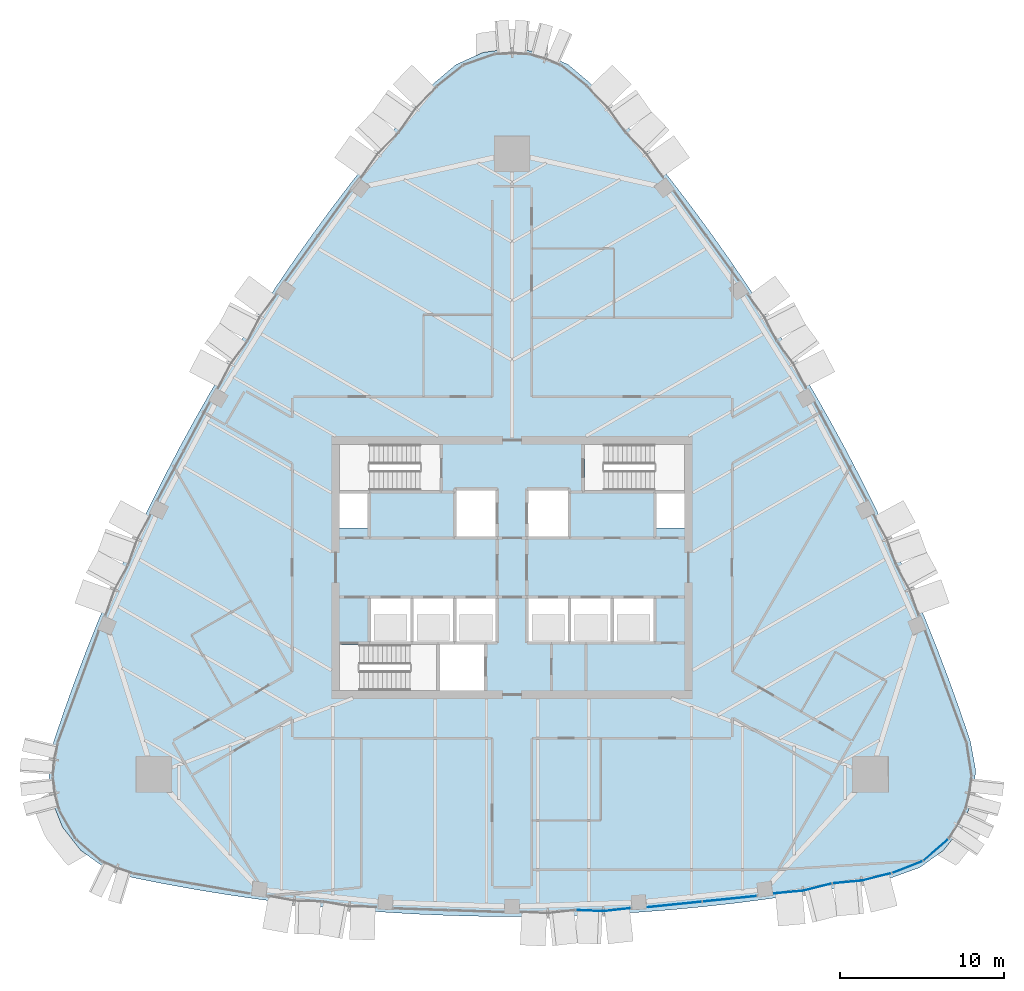
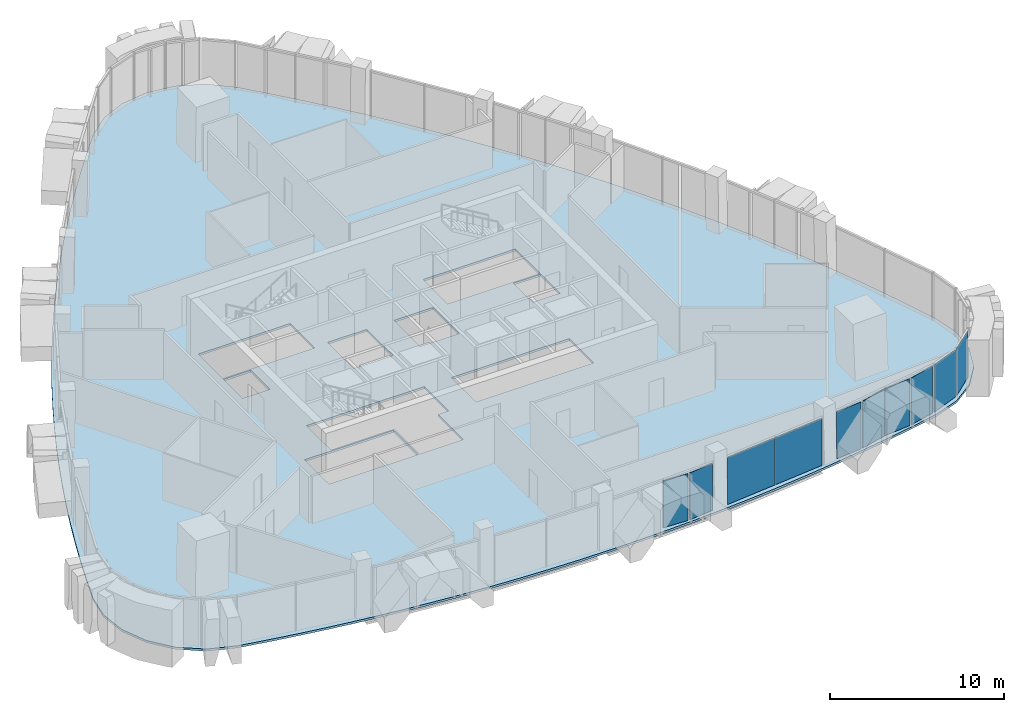
# One storey, part 9 of 18: 10 plates, 1 slab, 5 elements without a shape of their own.
"""IFC4 building model written with IfcOpenShell, lengths in metres."""

from ifc_helpers import new_model, si_unit, direction, frame, origin, origin_2d, place, context, subcontext, project, spatial, polyline, rectangle, outline, extrude, material, layer, layer_set, type_object, element, aggregate, save


model = new_model("IFC4")

# Units and contexts
model_context = context("Model", 3, precision=1e-05, world=origin(), true_north=direction((0.0, 1.0)))
body_context = subcontext(model_context, "Body", "Model", "MODEL_VIEW")
ifc_project = project(units=[si_unit("LENGTHUNIT", "METRE"), si_unit("AREAUNIT", "SQUARE_METRE"), si_unit("VOLUMEUNIT", "CUBIC_METRE"), si_unit("PLANEANGLEUNIT", "RADIAN"), si_unit("MASSUNIT", "GRAM", prefix="KILO")], contexts=[model_context])

# Site, building, storey
site_placement = place(None, origin())
site = spatial("IfcSite", under=ifc_project, at=site_placement, CompositionType="ELEMENT")
building_placement = place(site_placement, origin())
building = spatial("IfcBuilding", under=site, at=building_placement, Name="Sierra Prisma Convention Tower", CompositionType="ELEMENT")
storey_placement = place(building_placement, frame((0.0, 0.0, 247.0)))
storey = spatial("IfcBuildingStorey", under=building, at=storey_placement, Name="L55", CompositionType="ELEMENT", Elevation=247.0)

# Curtain wall, plates
ifc_material_1 = material(Name="Aluminium and glass curtain wall", Category="aluminium")
ifc_layer_1 = layer(ifc_material_1, 0.179931640625)
ifc_layer_set_1 = layer_set([ifc_layer_1], Name="CW-1 Plain shaft curtain wall")
curtain_wall_type_1 = type_object("IfcCurtainWallType", Name="CW-1 Plain shaft curtain wall", PredefinedType="NOTDEFINED", material=ifc_layer_set_1)
curtain_wall_1_placement = place(storey_placement, origin())
curtain_wall_1 = element("IfcCurtainWall", 1, at=curtain_wall_1_placement, inside=storey, type_object=curtain_wall_type_1, Name="CW-1 S5 L55", PredefinedType="NOTDEFINED")
ifc_material_2 = material(Name="Tinted glass bronze-grey IGU", Category="glass")
ifc_layer_2 = layer(ifc_material_2, 0.028076171875)
ifc_layer_set_2 = layer_set([ifc_layer_2], Name="CW-1 glass panel")
plate_type_1 = type_object("IfcPlateType", Name="CW-1 glass panel", PredefinedType="CURTAIN_PANEL", material=ifc_layer_set_2)
plate_1_placement = place(storey_placement, frame((9.905517578125, -20.523193359375, 0.0), z_axis=(0.0, 0.0, 1.0), x_axis=(0.994751350492, 0.102321799698, 0.0)))
plate_1 = element("IfcPlate", 2, at=plate_1_placement, type_object=plate_type_1, Name="CW-1 panel S5.1", PredefinedType="CURTAIN_PANEL", context=body_context, shape_type="SweptSolid", body=[
    extrude(rectangle(XDim=3.299072265625, YDim=0.028076171875, at=origin_2d()), origin(), (0.0, 0.0, 1.0), 3.280029296875),
])
plate_2_placement = place(storey_placement, frame((13.2568359375, -20.178466796875, 0.0), z_axis=(0.0, 0.0, 1.0), x_axis=(0.994751350492, 0.102321799698, 0.0)))
plate_2 = element("IfcPlate", 3, at=plate_2_placement, type_object=plate_type_1, Name="CW-1 panel S5.2", PredefinedType="CURTAIN_PANEL", context=body_context, shape_type="SweptSolid", body=[
    extrude(rectangle(XDim=3.299072265625, YDim=0.028076171875, at=origin_2d()), origin(), (0.0, 0.0, 1.0), 3.280029296875),
])
aggregate(curtain_wall_1, [plate_1, plate_2])

# Curtain wall, plate
curtain_wall_2_placement = place(storey_placement, origin())
curtain_wall_2 = element("IfcCurtainWall", 4, at=curtain_wall_2_placement, inside=storey, type_object=curtain_wall_type_1, Name="CW-1 SE1 L55", PredefinedType="NOTDEFINED")
plate_3_placement = place(storey_placement, frame((24.05810546875, -18.258056640625, 0.0), z_axis=(0.0, 0.0, 1.0), x_axis=(0.931077356611, 0.36482181405, 0.0)))
plate_3 = element("IfcPlate", 5, at=plate_3_placement, type_object=plate_type_1, Name="CW-1 panel SE1.1", PredefinedType="CURTAIN_PANEL", context=body_context, shape_type="SweptSolid", body=[
    extrude(rectangle(XDim=1.922119140625, YDim=0.028076171875, at=origin_2d()), origin(), (0.0, 0.0, 1.0), 3.280029296875),
])
aggregate(curtain_wall_2, [plate_3])

curtain_wall_3_placement = place(storey_placement, origin())
curtain_wall_3 = element("IfcCurtainWall", 6, at=curtain_wall_3_placement, inside=storey, type_object=curtain_wall_type_1, Name="CW-1 SE2 L55", PredefinedType="NOTDEFINED")
plate_4_placement = place(storey_placement, frame((25.799560546875, -17.20947265625, 0.0), z_axis=(0.0, 0.0, 1.0), x_axis=(0.758153585853, 0.652076023373, 0.0)))
plate_4 = element("IfcPlate", 7, at=plate_4_placement, type_object=plate_type_1, Name="CW-1 panel SE2.1", PredefinedType="CURTAIN_PANEL", context=body_context, shape_type="SweptSolid", body=[
    extrude(rectangle(XDim=1.922119140625, YDim=0.028076171875, at=origin_2d()), origin(), (0.0, 0.0, 1.0), 3.280029296875),
])
aggregate(curtain_wall_3, [plate_4])

# Curtain wall, plates
ifc_material_3 = material(Name="Aluminium and glass curtain wall", Category="aluminium")
ifc_layer_3 = layer(ifc_material_3, 0.179931640625)
ifc_layer_set_3 = layer_set([ifc_layer_3], Name="CW-2 Faceted crystal curtain wall")
curtain_wall_type_2 = type_object("IfcCurtainWallType", Name="CW-2 Faceted crystal curtain wall", PredefinedType="NOTDEFINED", material=ifc_layer_set_3)
curtain_wall_4_placement = place(storey_placement, origin())
curtain_wall_4 = element("IfcCurtainWall", 8, at=curtain_wall_4_placement, inside=storey, type_object=curtain_wall_type_2, Name="CW-2 S4 L55", PredefinedType="NOTDEFINED")
ifc_material_4 = material(Name="Tinted glass bronze-grey IGU", Category="glass")
ifc_layer_4 = layer(ifc_material_4, 0.028076171875)
ifc_layer_set_4 = layer_set([ifc_layer_4], Name="CW-2 crystal pane")
plate_type_2 = type_object("IfcPlateType", Name="CW-2 crystal pane", PredefinedType="CURTAIN_PANEL", material=ifc_layer_set_4)
plate_5_placement = place(storey_placement, frame((3.902587890625, -20.876708984375, 0.0), z_axis=(-0.044319267458, -0.999017418533, 0.0), x_axis=(0.999017418533, -0.044319267458, 0.0)))
plate_5 = element("IfcPlate", 9, at=plate_5_placement, type_object=plate_type_2, Name="CW-2 pane S4.2.1", PredefinedType="CURTAIN_PANEL", context=body_context, shape_type="SweptSolid", body=[
    extrude(outline(polyline([(0.0, 0.0), (1.5975169561796596, 0.0), (1.5975169561796596, 3.280029296875), (0.0, 3.280029296875), (0.0, 0.0)])), origin(), (0.0, 0.0, -1.0), 0.028076171875),
])
plate_6_placement = place(storey_placement, frame((7.215576171875, -20.763427734375, 0.0), z_axis=(0.112477627419, -0.993654257441, 0.0), x_axis=(-0.993654257441, -0.112477627419, 0.0)))
plate_6 = element("IfcPlate", 10, at=plate_6_placement, type_object=plate_type_2, Name="CW-2 pane S4.2.2", PredefinedType="CURTAIN_PANEL", context=body_context, shape_type="SweptSolid", body=[
    extrude(outline(polyline([(0.0, 0.0), (1.5975399208155154, 0.0), (1.5975399208155154, -3.280029296875), (0.0, -3.280029296875), (0.0, 0.0)])), origin(), (0.0, 0.0, -1.0), 0.028076171875),
])
aggregate(curtain_wall_4, [plate_5, plate_6])

curtain_wall_5_placement = place(storey_placement, origin())
curtain_wall_5 = element("IfcCurtainWall", 11, at=curtain_wall_5_placement, inside=storey, type_object=curtain_wall_type_2, Name="CW-2 S6 L55", PredefinedType="NOTDEFINED")
plate_7_placement = place(storey_placement, frame((15.97119140625, -19.863525390625, 0.0), z_axis=(0.092179898843, -0.995742369416, 0.0), x_axis=(0.995742369416, 0.092179898843, 0.0)))
plate_7 = element("IfcPlate", 12, at=plate_7_placement, type_object=plate_type_2, Name="CW-2 pane S6.1.1", PredefinedType="CURTAIN_PANEL", context=body_context, shape_type="SweptSolid", body=[
    extrude(outline(polyline([(0.0, 0.0), (1.713594681249195, 0.0), (1.713594681249195, 3.280029296875), (0.0, 3.280029296875), (0.0, 0.0)])), origin(), (0.0, 0.0, -1.0), 0.028076171875),
])
plate_8_placement = place(storey_placement, frame((19.4658203125, -19.2607421875, 0.0), z_axis=(0.246757127176, -0.96907735511, 0.0), x_axis=(-0.96907735511, -0.246757127176, 0.0)))
plate_8 = element("IfcPlate", 13, at=plate_8_placement, type_object=plate_type_2, Name="CW-2 pane S6.1.2", PredefinedType="CURTAIN_PANEL", context=body_context, shape_type="SweptSolid", body=[
    extrude(outline(polyline([(0.0, 0.0), (1.7136346469067507, 0.0), (1.7136346469067507, -3.280029296875), (0.0, -3.280029296875), (0.0, 0.0)])), origin(), (0.0, 0.0, -1.0), 0.028076171875),
])
plate_9_placement = place(storey_placement, frame((19.53466796875, -19.248779296875, 0.0), z_axis=(0.092179898843, -0.995742369416, 0.0), x_axis=(0.995742369416, 0.092179898843, 0.0)))
plate_9 = element("IfcPlate", 14, at=plate_9_placement, type_object=plate_type_2, Name="CW-2 pane S6.2.1", PredefinedType="CURTAIN_PANEL", context=body_context, shape_type="SweptSolid", body=[
    extrude(outline(polyline([(0.0, 0.0), (1.713594681249195, 0.0), (1.713594681249195, 3.280029296875), (0.0, 3.280029296875), (0.0, 0.0)])), origin(), (0.0, 0.0, -1.0), 0.028076171875),
])
plate_10_placement = place(storey_placement, frame((23.029052734375, -18.64599609375, 0.0), z_axis=(0.246791199989, -0.969068678478, 0.0), x_axis=(-0.969068678478, -0.246791199989, 0.0)))
plate_10 = element("IfcPlate", 15, at=plate_10_placement, type_object=plate_type_2, Name="CW-2 pane S6.2.2", PredefinedType="CURTAIN_PANEL", context=body_context, shape_type="SweptSolid", body=[
    extrude(outline(polyline([(0.0, 0.0), (1.7133980568146867, 0.0), (1.7133980568146867, -3.280029296875), (0.0, -3.280029296875), (0.0, 0.0)])), origin(), (0.0, 0.0, -1.0), 0.028076171875),
])
aggregate(curtain_wall_5, [plate_7, plate_8, plate_9, plate_10])

# Slab
ifc_material_5 = material(Name="Concrete C35/45", Category="concrete")
ifc_layer_5 = layer(ifc_material_5, 0.14990234375)
ifc_layer_set_5 = layer_set([ifc_layer_5], Name="Composite floor slab 150")
slab_type = type_object("IfcSlabType", Name="Composite floor slab 150", PredefinedType="FLOOR", material=ifc_layer_set_5)
slab_placement = place(storey_placement, frame((0.0, 0.0, -0.14990234375)))
element("IfcSlab", 16, at=slab_placement, inside=storey, type_object=slab_type, Name="Floor slab L55 floor", PredefinedType="FLOOR", context=body_context, shape_type="SweptSolid", body=[
    extrude(outline(polyline([(-23.14892578125, -18.87890625), (-21.24365234375, -19.258056640625), (-19.332275390625, -19.604736328125), (-17.4150390625, -19.91845703125), (-15.492919921875, -20.19970703125), (-13.566162109375, -20.44775390625), (-11.635498046875, -20.6630859375), (-9.701416015625, -20.845458984375), (-7.7646484375, -20.99462890625), (-5.825439453125, -21.110595703125), (-3.884521484375, -21.193603515625), (-1.942626953125, -21.243408203125), (0.0, -21.260009765625), (1.942626953125, -21.243408203125), (3.884521484375, -21.193603515625), (5.825439453125, -21.110595703125), (7.7646484375, -20.99462890625), (9.701416015625, -20.845458984375), (11.635498046875, -20.6630859375), (13.566162109375, -20.44775390625), (15.492919921875, -20.19970703125), (17.4150390625, -19.91845703125), (19.332275390625, -19.604736328125), (21.24365234375, -19.258056640625), (23.14892578125, -18.87890625), (24.833984375, -18.272705078125), (26.28515625, -17.22314453125), (27.388671875, -15.81298828125), (28.058349609375, -14.152099609375), (28.241455078125, -12.37060546875), (27.924072265625, -10.608154296875), (27.2998046875, -8.7685546875), (26.644287109375, -6.93994140625), (25.95751953125, -5.12255859375), (25.239990234375, -3.3173828125), (24.491455078125, -1.524658203125), (23.712646484375, 0.2548828125), (22.9033203125, 2.02099609375), (22.064208984375, 3.77294921875), (21.195068359375, 5.51025390625), (20.29638671875, 7.232666015625), (19.36865234375, 8.939453125), (18.41162109375, 10.6298828125), (17.426025390625, 12.303955078125), (16.411865234375, 13.9609375), (15.36962890625, 15.600341796875), (14.299560546875, 17.2216796875), (13.201904296875, 18.824462890625), (12.0771484375, 20.408203125), (10.92529296875, 21.97265625), (9.746826171875, 23.51708984375), (8.54248046875, 25.041259765625), (7.31201171875, 26.54443359375), (6.05615234375, 28.026611328125), (4.775146484375, 29.487060546875), (3.407470703125, 30.643310546875), (1.773193359375, 31.375244140625), (0.0, 31.625732421875), (-1.773193359375, 31.375244140625), (-3.407470703125, 30.643310546875), (-4.775146484375, 29.487060546875), (-6.05615234375, 28.026611328125), (-7.31201171875, 26.54443359375), (-8.54248046875, 25.041259765625), (-9.746826171875, 23.51708984375), (-10.92529296875, 21.97265625), (-12.0771484375, 20.408203125), (-13.201904296875, 18.824462890625), (-14.299560546875, 17.2216796875), (-15.36962890625, 15.600341796875), (-16.411865234375, 13.9609375), (-17.426025390625, 12.303955078125), (-18.41162109375, 10.6298828125), (-19.36865234375, 8.939453125), (-20.29638671875, 7.232666015625), (-21.195068359375, 5.51025390625), (-22.064208984375, 3.77294921875), (-22.9033203125, 2.02099609375), (-23.712646484375, 0.2548828125), (-24.491455078125, -1.524658203125), (-25.239990234375, -3.3173828125), (-25.95751953125, -5.12255859375), (-26.644287109375, -6.93994140625), (-27.2998046875, -8.7685546875), (-27.924072265625, -10.608154296875), (-28.241455078125, -12.37060546875), (-28.058349609375, -14.152099609375), (-27.388671875, -15.81298828125), (-26.28515625, -17.22314453125), (-24.833984375, -18.272705078125), (-23.14892578125, -18.87890625)]), holes=[polyline([(-4.60009765625, -4.699951171875), (-4.60009765625, -7.5), (-10.5, -7.5), (-10.5, -4.699951171875), (-4.60009765625, -4.699951171875)]), polyline([(-4.5, -7.5), (-4.5, -4.60009765625), (-6.10009765625, -4.60009765625), (-8.699951171875, -4.60009765625), (-8.699951171875, -1.800048828125), (-6.10009765625, -1.800048828125), (-3.5, -1.800048828125), (-0.89990234375, -1.800048828125), (-0.89990234375, -4.60009765625), (-1.60009765625, -4.60009765625), (-1.60009765625, -7.5), (-4.5, -7.5)]), polyline([(-8.699951171875, 2.39990234375), (-10.5, 2.39990234375), (-10.5, 4.60009765625), (-8.699951171875, 4.60009765625), (-8.699951171875, 2.39990234375)]), polyline([(-4.39990234375, 4.699951171875), (-10.5, 4.699951171875), (-10.5, 7.5), (-4.39990234375, 7.5), (-4.39990234375, 4.699951171875)]), polyline([(3.5, -1.800048828125), (6.10009765625, -1.800048828125), (8.699951171875, -1.800048828125), (8.699951171875, -4.60009765625), (6.10009765625, -4.60009765625), (3.5, -4.60009765625), (0.89990234375, -4.60009765625), (0.89990234375, -1.800048828125), (3.5, -1.800048828125)]), polyline([(-0.89990234375, 1.800048828125), (-3.5, 1.800048828125), (-3.5, 4.800048828125), (-0.89990234375, 4.800048828125), (-0.89990234375, 1.800048828125)]), polyline([(3.5, 1.800048828125), (0.89990234375, 1.800048828125), (0.89990234375, 4.800048828125), (3.5, 4.800048828125), (3.5, 1.800048828125)]), polyline([(10.5, 2.39990234375), (8.699951171875, 2.39990234375), (8.699951171875, 4.60009765625), (10.5, 4.60009765625), (10.5, 2.39990234375)]), polyline([(10.5, 4.699951171875), (4.39990234375, 4.699951171875), (4.39990234375, 7.5), (10.5, 7.5), (10.5, 4.699951171875)])]), origin(), (0.0, 0.0, 1.0), 0.14990234375),
])

save(model, "model.ifc")
